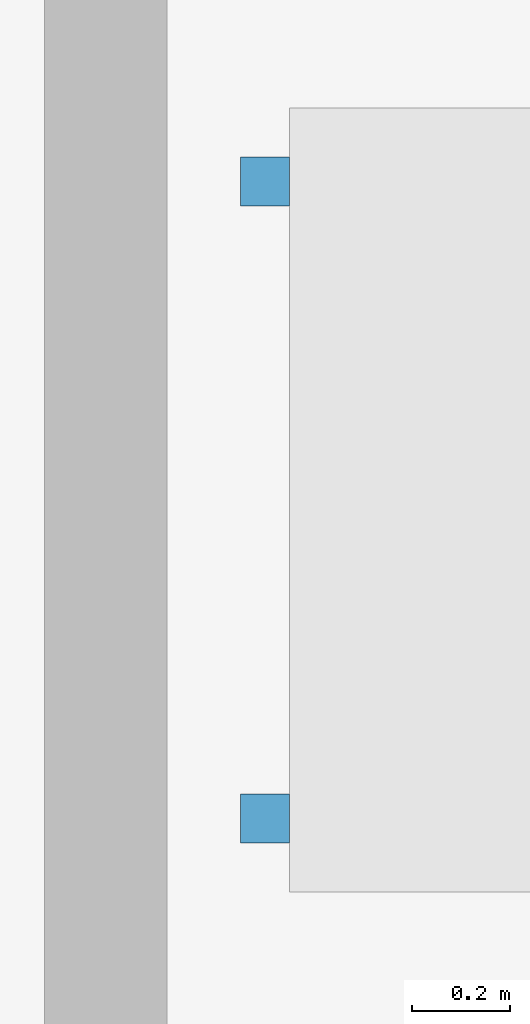
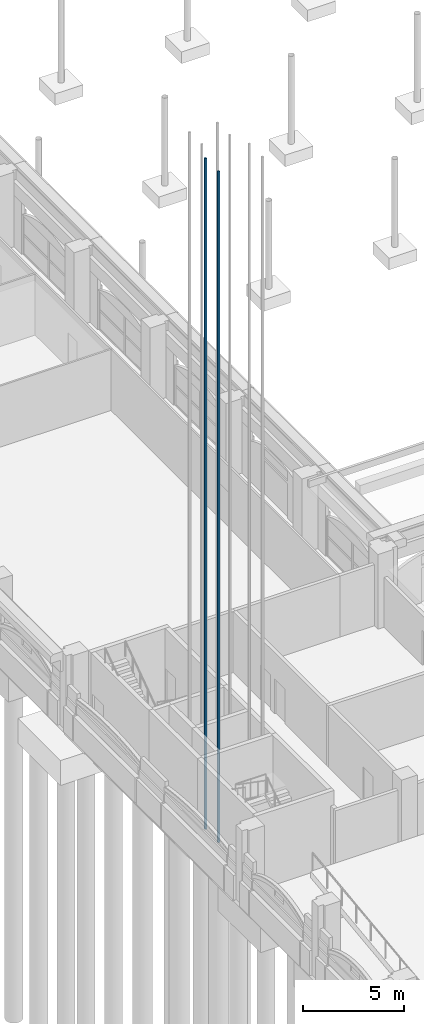
# One storey, part 47 of 99: 2 discrete accessories.
"""IFC4 building model written with IfcOpenShell, lengths in metres."""

from ifc_helpers import new_model, si_unit, direction, frame, origin, origin_2d, place, context, subcontext, project, spatial, rectangle, extrude, material, type_object, element, save


model = new_model("IFC4")

# Units and contexts
model_context = context("Model", 3, precision=1e-05, world=origin(), true_north=direction((0.0, 1.0)))
body_context = subcontext(model_context, "Body", "Model", "MODEL_VIEW")
ifc_project = project(units=[si_unit("LENGTHUNIT", "METRE"), si_unit("AREAUNIT", "SQUARE_METRE"), si_unit("VOLUMEUNIT", "CUBIC_METRE"), si_unit("PLANEANGLEUNIT", "RADIAN"), si_unit("MASSUNIT", "GRAM", prefix="KILO")], contexts=[model_context])

# Site, building, storey
site_placement = place(None, origin())
site = spatial("IfcSite", under=ifc_project, at=site_placement, CompositionType="ELEMENT")
building_placement = place(site_placement, origin())
building = spatial("IfcBuilding", under=site, at=building_placement, Name="Cour d'Honneur Mobility Palace", CompositionType="ELEMENT")
storey_placement = place(building_placement, origin())
storey = spatial("IfcBuildingStorey", under=building, at=storey_placement, Name="L00", CompositionType="ELEMENT", Elevation=0.0)

# Discrete accessories
ifc_material = material(Name="Steel S355", Category="steel")
discrete_accessory_type = type_object("IfcDiscreteAccessoryType", Name="Lift guide rail", PredefinedType="USERDEFINED", material=ifc_material)
for number, where, z_axis, x_axis, name in (
    (1, (1.97509765625, 51.75, -1.39990234375), (0.0, 0.0, 1.0), (1.0, 0.0, 0.0), "Guide rail LF-CW1"),
    (2, (1.97509765625, 53.050048828125, -1.39990234375), (0.0, 0.0, 1.0), (1.0, 0.0, 0.0), "Guide rail LF-CW1"),
):
    element("IfcDiscreteAccessory", number, at=place(storey_placement, frame(where, z_axis=z_axis, x_axis=x_axis)), inside=storey, type_object=discrete_accessory_type, Name=name, ObjectType="GUIDE RAIL", PredefinedType="USERDEFINED", context=body_context, shape_type="SweptSolid", body=[
        extrude(rectangle(XDim=0.10009765625, YDim=0.10009765625, at=origin_2d()), origin(), (0.0, 0.0, 1.0), 40.449951171875),
    ])

save(model, "model.ifc")
